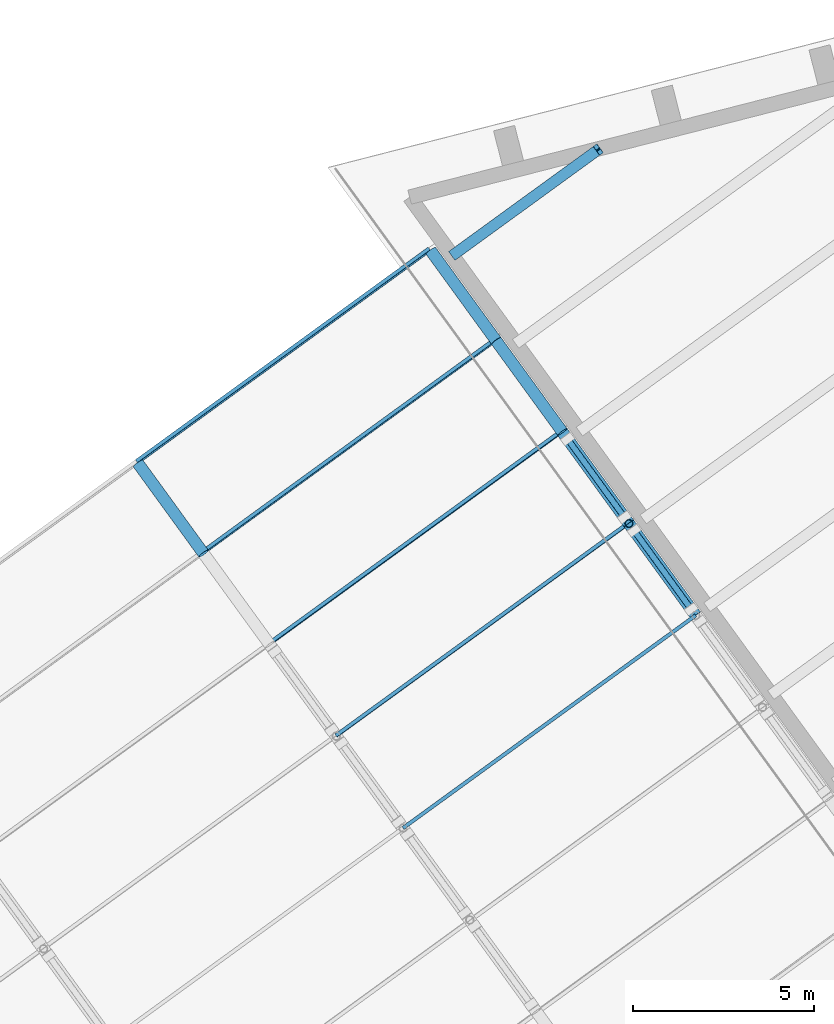
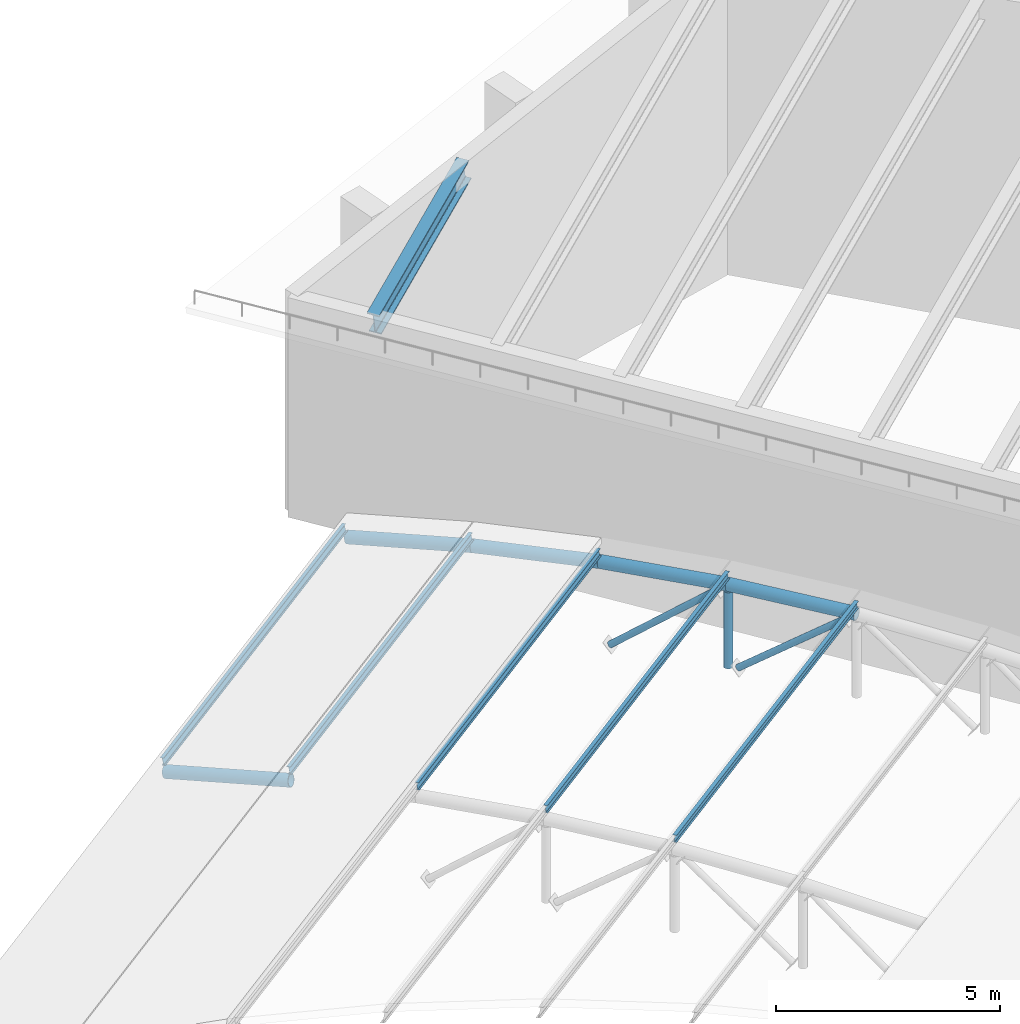
# One storey, part 21 of 41: 8 members, 6 beams.
"""IFC4 building model written with IfcOpenShell, lengths in metres."""

from ifc_helpers import new_model, si_unit, direction, frame, origin, origin_2d, place, context, subcontext, project, spatial, hollow_circle, i_section, extrude, material, material_profile, profile_set, type_object, element, save


model = new_model("IFC4")

# Units and contexts
model_context = context("Model", 3, precision=1e-05, world=origin(), true_north=direction((0.0, 1.0)))
body_context = subcontext(model_context, "Body", "Model", "MODEL_VIEW")
ifc_project = project(units=[si_unit("LENGTHUNIT", "METRE"), si_unit("AREAUNIT", "SQUARE_METRE"), si_unit("VOLUMEUNIT", "CUBIC_METRE"), si_unit("PLANEANGLEUNIT", "RADIAN"), si_unit("MASSUNIT", "GRAM", prefix="KILO")], contexts=[model_context])

# Site, building, storey
site_placement = place(None, origin())
site = spatial("IfcSite", under=ifc_project, at=site_placement, CompositionType="ELEMENT")
building_placement = place(site_placement, origin())
building = spatial("IfcBuilding", under=site, at=building_placement, Name="Okhra Congress Centre", CompositionType="ELEMENT")
storey_placement = place(building_placement, frame((0.0, 0.0, 21.60009765625)))
storey = spatial("IfcBuildingStorey", under=building, at=storey_placement, Name="ROOF", CompositionType="ELEMENT", Elevation=21.60009765625)

# Members
ifc_material_1 = material(Name="Steel S355J2H", Category="steel")
ifc_material_profile_1 = material_profile(ifc_material_1, hollow_circle(Radius=0.084228515625, WallThickness=0.00634765625, at=origin_2d()), Name="CHS 168.3x6.3")
ifc_profile_set_1 = profile_set([ifc_material_profile_1], Name="Steel S355J2H")
member_type_1 = type_object("IfcMemberType", Name="CHS 168.3x6.3", PredefinedType="BRACE", material=ifc_profile_set_1)
member_1_placement = place(storey_placement, frame((260.77978515625, 215.561279296875, -0.812255859375), z_axis=(0.460427799508, -0.633760263966, 0.621573945125), x_axis=(0.809032767915, 0.587763541264, 0.0)))
element("IfcMember", 1, at=member_1_placement, inside=storey, type_object=member_type_1, Name="Truss 7 diagonal 10", PredefinedType="BRACE", context=body_context, shape_type="SweptSolid", body=[
    extrude(hollow_circle(Radius=0.084228515625, WallThickness=0.00634765625, at=origin_2d()), origin(), (0.0, 0.0, 1.0), 3.40576171875),
])
member_2_placement = place(storey_placement, frame((258.94091796875, 218.092529296875, -1.07080078125), z_axis=(0.44685165687, -0.615058439697, 0.649635830685), x_axis=(0.809026036893, 0.587772806133, 0.0)))
element("IfcMember", 2, at=member_2_placement, inside=storey, type_object=member_type_1, Name="Truss 7 diagonal 11", PredefinedType="BRACE", context=body_context, shape_type="SweptSolid", body=[
    extrude(hollow_circle(Radius=0.084228515625, WallThickness=0.00634765625, at=origin_2d()), origin(), (0.0, 0.0, 1.0), 3.4951171875),
])
ifc_material_profile_2 = material_profile(ifc_material_1, hollow_circle(Radius=0.109619140625, WallThickness=0.008056640625, at=origin_2d()), Name="CHS 219.1x8")
ifc_profile_set_2 = profile_set([ifc_material_profile_2], Name="Steel S355J2H")
member_type_2 = type_object("IfcMemberType", Name="CHS 219.1x8", PredefinedType="POST", material=ifc_profile_set_2)
member_3_placement = place(storey_placement, frame((260.6357421875, 215.759521484375, -0.842529296875), z_axis=(0.0, 0.0, 1.0), x_axis=(1.0, 0.0, 0.0)))
element("IfcMember", 3, at=member_3_placement, inside=storey, type_object=member_type_2, Name="Truss 7 post 10", PredefinedType="POST", context=body_context, shape_type="SweptSolid", body=[
    extrude(hollow_circle(Radius=0.109619140625, WallThickness=0.008056640625, at=origin_2d()), origin(), (0.0, 0.0, 1.0), 2.071533203125),
])
ifc_material_profile_3 = material_profile(ifc_material_1, hollow_circle(Radius=0.161865234375, WallThickness=0.012451171875, at=origin_2d()), Name="CHS 323.9x12.5")
ifc_profile_set_3 = profile_set([ifc_material_profile_3], Name="Steel S355J2H")
member_type_3 = type_object("IfcMemberType", Name="CHS 323.9x12.5", PredefinedType="CHORD", material=ifc_profile_set_3)
for number, where, z_axis, x_axis, name in (
    (4, (248.87939453125, 214.927734375, 0.6640625), (-0.575629649566, 0.792326309435, -0.202162127805), (-0.80903112876, -0.587765797488, 0.0), "Truss 6 top chord 13"),
    (5, (262.481201171875, 213.219482421875, 1.484619140625), (-0.587538134891, 0.808671352746, -0.029147612195), (-0.809015088623, -0.587787875327, 0.0), "Truss 7 top chord 10"),
):
    element("IfcMember", number, at=place(storey_placement, frame(where, z_axis=z_axis, x_axis=x_axis)), inside=storey, type_object=member_type_3, Name=name, PredefinedType="CHORD", context=body_context, shape_type="SweptSolid", body=[
        extrude(hollow_circle(Radius=0.161865234375, WallThickness=0.012451171875, at=origin_2d()), origin(), (0.0, 0.0, 1.0), 3.14111328125),
    ])
member_4_placement = place(storey_placement, frame((260.6357421875, 215.759521484375, 1.39306640625), z_axis=(-0.58553770002, 0.805949820707, -0.087123408777), x_axis=(-0.809026121159, -0.587772690146, 0.0)))
element("IfcMember", 6, at=member_4_placement, inside=storey, type_object=member_type_3, Name="Truss 7 top chord 11", PredefinedType="CHORD", context=body_context, shape_type="SweptSolid", body=[
    extrude(hollow_circle(Radius=0.161865234375, WallThickness=0.012451171875, at=origin_2d()), origin(), (0.0, 0.0, 1.0), 3.141357421875),
])
for number, where, z_axis, x_axis, name in (
    (7, (258.79638671875, 218.291259765625, 1.119384765625), (-0.581543271945, 0.800496412425, -0.144958326942), (-0.809041704036, -0.587751240858, 0.0), "Truss 7 top chord 12"),
    (8, (256.9697265625, 220.8056640625, 0.6640625), (-0.575681616785, 0.792290860201, -0.202153082929), (-0.808993389874, -0.587817739729, 0.0), "Truss 7 top chord 13"),
):
    element("IfcMember", number, at=place(storey_placement, frame(where, z_axis=z_axis, x_axis=x_axis)), inside=storey, type_object=member_type_3, Name=name, PredefinedType="CHORD", context=body_context, shape_type="SweptSolid", body=[
        extrude(hollow_circle(Radius=0.161865234375, WallThickness=0.012451171875, at=origin_2d()), origin(), (0.0, 0.0, 1.0), 3.14111328125),
    ])

# Beams
ifc_material_2 = material(Name="Steel S355J2", Category="steel")
ifc_material_profile_4 = material_profile(ifc_material_2, i_section(OverallWidth=0.300048828125, OverallDepth=0.60009765625, WebThickness=0.015380859375, FlangeThickness=0.030029296875, FilletRadius=0.027099609375, at=origin_2d()), Name="HE 600 B")
ifc_profile_set_4 = profile_set([ifc_material_profile_4], Name="Steel S355J2")
beam_type_1 = type_object("IfcBeamType", Name="HE 600 B", PredefinedType="BEAM", material=ifc_profile_set_4)
beam_1_placement = place(storey_placement, frame((255.7919921875, 223.192138671875, 5.68701171875), z_axis=(0.790162229747, 0.57406227235, 0.2147001587), x_axis=(-0.587769040522, 0.809028772668, 0.0)))
element("IfcBeam", 9, at=beam_1_placement, inside=storey, type_object=beam_type_1, Name="Stage house rafter 9", PredefinedType="BEAM", context=body_context, shape_type="SweptSolid", body=[
    extrude(i_section(OverallWidth=0.300048828125, OverallDepth=0.60009765625, WebThickness=0.015380859375, FlangeThickness=0.030029296875, FilletRadius=0.027099609375, at=origin_2d()), origin(), (0.0, 0.0, 1.0), 5.057861328125),
])
ifc_material_profile_5 = material_profile(ifc_material_2, i_section(OverallWidth=0.10009765625, OverallDepth=0.199951171875, WebThickness=0.005615234375, FlangeThickness=0.008544921875, FilletRadius=0.011962890625, at=origin_2d()), Name="IPE 200")
ifc_profile_set_5 = profile_set([ifc_material_profile_5], Name="Steel S355J2")
beam_type_2 = type_object("IfcBeamType", Name="IPE 200", PredefinedType="BEAM", material=ifc_profile_set_5)
beam_2_placement = place(storey_placement, frame((254.39111328125, 207.341552734375, 1.743408203125), z_axis=(0.809010490052, 0.58779420462, 0.0), x_axis=(-0.58779420462, 0.809010490052, 0.0)))
element("IfcBeam", 10, at=beam_2_placement, inside=storey, type_object=beam_type_2, Name="Purlin 10.60", PredefinedType="BEAM", context=body_context, shape_type="SweptSolid", body=[
    extrude(i_section(OverallWidth=0.10009765625, OverallDepth=0.199951171875, WebThickness=0.005615234375, FlangeThickness=0.008544921875, FilletRadius=0.011962890625, at=origin_2d()), origin(), (0.0, 0.0, 1.0), 10.0),
])
for number, where, z_axis, x_axis, name in (
    (11, (252.536865234375, 209.89404296875, 1.651611328125), (0.809022099746, 0.587778225288, 0.0), (-0.58678379756, 0.807653362398, -0.058144828905), "Purlin 11.66"),
    (12, (250.688720703125, 212.437744140625, 1.376708984375), (0.809022099746, 0.587778225288, 0.0), (-0.583803879201, 0.803551781728, -0.116092914131), "Purlin 12.72"),
):
    element("IfcBeam", number, at=place(storey_placement, frame(where, z_axis=z_axis, x_axis=x_axis)), inside=storey, type_object=beam_type_2, Name=name, PredefinedType="BEAM", context=body_context, shape_type="SweptSolid", body=[
        extrude(i_section(OverallWidth=0.10009765625, OverallDepth=0.199951171875, WebThickness=0.005615234375, FlangeThickness=0.008544921875, FilletRadius=0.011962890625, at=origin_2d()), origin(), (0.0, 0.0, 1.0), 9.999755859375),
    ])
beam_3_placement = place(storey_placement, frame((248.85302734375, 214.964111328125, 0.919189453125), z_axis=(0.809010490052, 0.58779420462, 0.0), x_axis=(-0.578864289886, 0.796719802872, -0.173648177667)))
element("IfcBeam", 13, at=beam_3_placement, inside=storey, type_object=beam_type_2, Name="Purlin 13.78", PredefinedType="BEAM", context=body_context, shape_type="SweptSolid", body=[
    extrude(i_section(OverallWidth=0.10009765625, OverallDepth=0.199951171875, WebThickness=0.005615234375, FlangeThickness=0.008544921875, FilletRadius=0.011962890625, at=origin_2d()), origin(), (0.0, 0.0, 1.0), 10.0),
])
beam_4_placement = place(storey_placement, frame((247.0361328125, 217.46484375, 0.281005859375), z_axis=(0.809018924928, 0.587782595105, 0.0), x_axis=(-0.571938839183, 0.787211715105, -0.230615870737)))
element("IfcBeam", 14, at=beam_4_placement, inside=storey, type_object=beam_type_2, Name="Purlin 14.84", PredefinedType="BEAM", context=body_context, shape_type="SweptSolid", body=[
    extrude(i_section(OverallWidth=0.10009765625, OverallDepth=0.199951171875, WebThickness=0.005615234375, FlangeThickness=0.008544921875, FilletRadius=0.011962890625, at=origin_2d()), origin(), (0.0, 0.0, 1.0), 10.000244140625),
])

save(model, "model.ifc")
